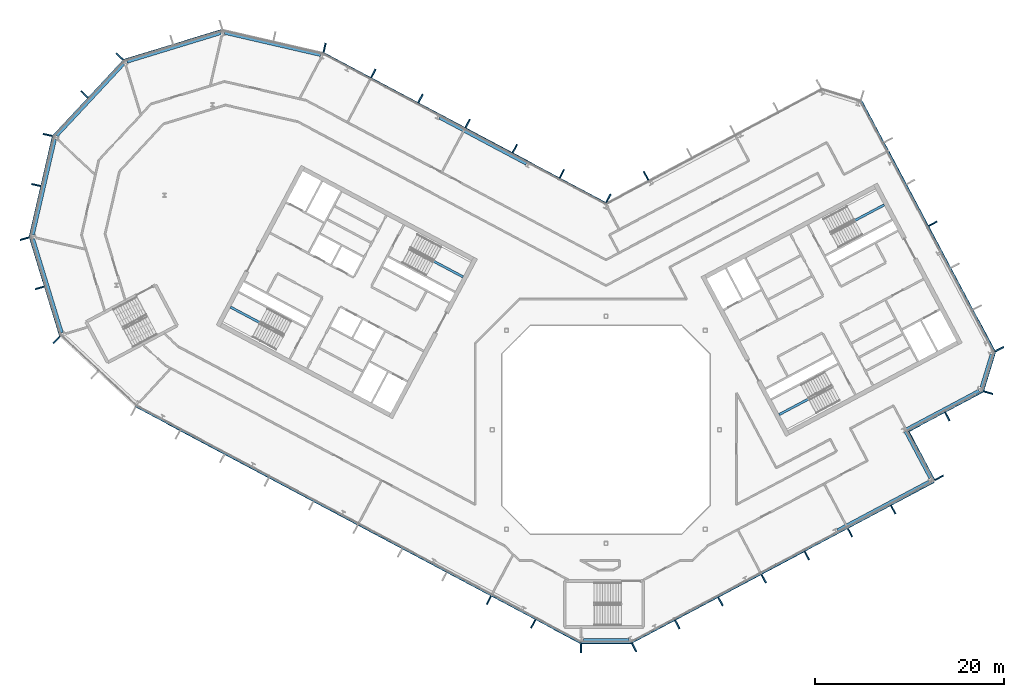
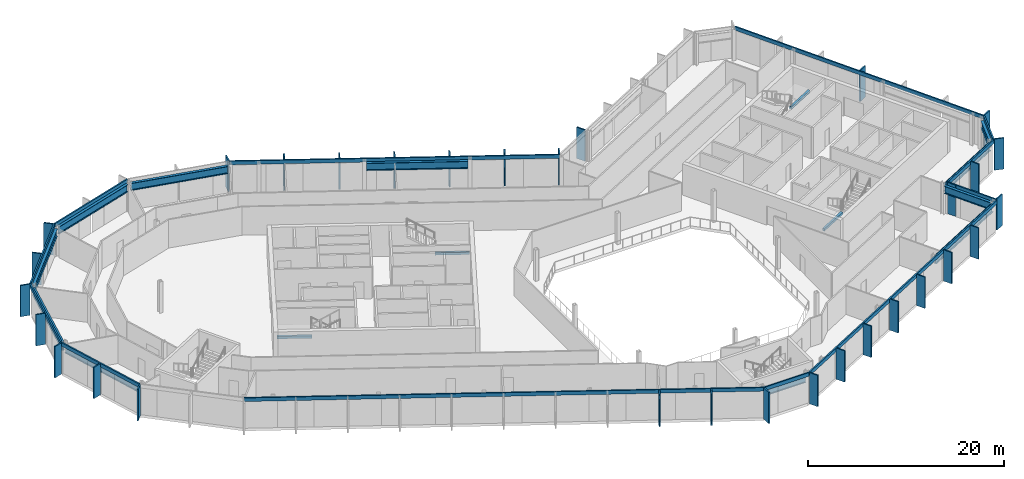
# One storey, part 9 of 26: 43 members, 15 beams, 15 elements without a shape of their own.
"""IFC4 building model written with IfcOpenShell, lengths in metres."""

from ifc_helpers import new_model, si_unit, direction, frame, origin, origin_2d, place, context, subcontext, project, spatial, rectangle, i_section, extrude, material, layer, layer_set, material_profile, profile_set, type_object, element, aggregate, save


model = new_model("IFC4")

# Units and contexts
model_context = context("Model", 3, precision=1e-05, world=origin(), true_north=direction((0.0, 1.0)))
body_context = subcontext(model_context, "Body", "Model", "MODEL_VIEW")
ifc_project = project(units=[si_unit("LENGTHUNIT", "METRE"), si_unit("AREAUNIT", "SQUARE_METRE"), si_unit("VOLUMEUNIT", "CUBIC_METRE"), si_unit("PLANEANGLEUNIT", "RADIAN"), si_unit("MASSUNIT", "GRAM", prefix="KILO")], contexts=[model_context])

# Site, building, storey
site_placement = place(None, origin())
site = spatial("IfcSite", under=ifc_project, at=site_placement, CompositionType="ELEMENT")
building_placement = place(site_placement, origin())
building = spatial("IfcBuilding", under=site, at=building_placement, Name="Cormorant Relay Tower", CompositionType="ELEMENT")
storey_placement = place(building_placement, frame((0.0, 0.0, 312.60009765625)))
storey = spatial("IfcBuildingStorey", under=building, at=storey_placement, Name="L71", CompositionType="ELEMENT", Elevation=312.60009765625)

# Curtain wall, member
ifc_material_1 = material(Name="Aluminium 6063-T6 anodised bronze", Category="aluminium")
ifc_layer = layer(ifc_material_1, 0.199951171875)
ifc_layer_set = layer_set([ifc_layer], Name="CW1 unitised bronze curtain wall with vertical fins")
curtain_wall_type = type_object("IfcCurtainWallType", Name="CW1 unitised bronze curtain wall with vertical fins", PredefinedType="NOTDEFINED", material=ifc_layer_set)
curtain_wall_1_placement = place(storey_placement, origin())
curtain_wall_1 = element("IfcCurtainWall", 1, at=curtain_wall_1_placement, inside=storey, type_object=curtain_wall_type, Name="CW1 curtain wall 1", PredefinedType="NOTDEFINED")
ifc_material_2 = material(Name="Aluminium 6063-T6 anodised bronze", Category="aluminium")
ifc_material_profile_1 = material_profile(ifc_material_2, rectangle(XDim=0.14990234375, YDim=1.0, at=origin_2d()), Name="AL 150x1000")
ifc_profile_set_1 = profile_set([ifc_material_profile_1], Name="Aluminium 6063-T6 anodised bronze")
member_type_1 = type_object("IfcMemberType", Name="CW1 bronze fin mullion 150 x 1000", PredefinedType="MULLION", material=ifc_profile_set_1)
member_1_placement = place(storey_placement, frame((-2.648681640625, -23.07568359375, 0.0), z_axis=(0.0, 0.0, 1.0), x_axis=(1.0, 0.0, 0.0)))
member_1 = element("IfcMember", 2, at=member_1_placement, type_object=member_type_1, Name="CW1 fin 1.1", PredefinedType="MULLION", context=body_context, shape_type="SweptSolid", body=[
    extrude(rectangle(XDim=0.14990234375, YDim=1.0, at=origin_2d()), origin(), (0.0, 0.0, 1.0), 3.89990234375),
])

# Curtain wall, members
curtain_wall_2_placement = place(storey_placement, origin())
curtain_wall_2 = element("IfcCurtainWall", 3, at=curtain_wall_2_placement, inside=storey, type_object=curtain_wall_type, Name="CW1 curtain wall 2", PredefinedType="NOTDEFINED")
member_2_placement = place(storey_placement, frame((2.9775390625, -22.99365234375, 0.0), z_axis=(0.0, 0.0, 1.0), x_axis=(0.882947592859, 0.469471562786, 0.0)))
member_2 = element("IfcMember", 4, at=member_2_placement, type_object=member_type_1, Name="CW1 fin 2.1", PredefinedType="MULLION", context=body_context, shape_type="SweptSolid", body=[
    extrude(rectangle(XDim=0.14990234375, YDim=1.0, at=origin_2d()), origin(), (0.0, 0.0, 1.0), 3.89990234375),
])
member_3_placement = place(storey_placement, frame((7.539306640625, -20.568115234375, 0.0), z_axis=(0.0, 0.0, 1.0), x_axis=(0.882947592859, 0.469471562786, 0.0)))
member_3 = element("IfcMember", 5, at=member_3_placement, type_object=member_type_1, Name="CW1 fin 2.2", PredefinedType="MULLION", context=body_context, shape_type="SweptSolid", body=[
    extrude(rectangle(XDim=0.14990234375, YDim=1.0, at=origin_2d()), origin(), (0.0, 0.0, 1.0), 3.89990234375),
])
member_4_placement = place(storey_placement, frame((12.10107421875, -18.142578125, 0.0), z_axis=(0.0, 0.0, 1.0), x_axis=(0.882947592859, 0.469471562786, 0.0)))
member_4 = element("IfcMember", 6, at=member_4_placement, type_object=member_type_1, Name="CW1 fin 2.3", PredefinedType="MULLION", context=body_context, shape_type="SweptSolid", body=[
    extrude(rectangle(XDim=0.14990234375, YDim=1.0, at=origin_2d()), origin(), (0.0, 0.0, 1.0), 3.89990234375),
])
member_5_placement = place(storey_placement, frame((16.662841796875, -15.717041015625, 0.0), z_axis=(0.0, 0.0, 1.0), x_axis=(0.882947592859, 0.469471562786, 0.0)))
member_5 = element("IfcMember", 7, at=member_5_placement, type_object=member_type_1, Name="CW1 fin 2.4", PredefinedType="MULLION", context=body_context, shape_type="SweptSolid", body=[
    extrude(rectangle(XDim=0.14990234375, YDim=1.0, at=origin_2d()), origin(), (0.0, 0.0, 1.0), 3.89990234375),
])
member_6_placement = place(storey_placement, frame((21.224609375, -13.29150390625, 0.0), z_axis=(0.0, 0.0, 1.0), x_axis=(0.882947592859, 0.469471562786, 0.0)))
member_6 = element("IfcMember", 8, at=member_6_placement, type_object=member_type_1, Name="CW1 fin 2.5", PredefinedType="MULLION", context=body_context, shape_type="SweptSolid", body=[
    extrude(rectangle(XDim=0.14990234375, YDim=1.0, at=origin_2d()), origin(), (0.0, 0.0, 1.0), 3.89990234375),
])
member_7_placement = place(storey_placement, frame((25.78662109375, -10.865966796875, 0.0), z_axis=(0.0, 0.0, 1.0), x_axis=(0.882947592859, 0.469471562786, 0.0)))
member_7 = element("IfcMember", 9, at=member_7_placement, type_object=member_type_1, Name="CW1 fin 2.6", PredefinedType="MULLION", context=body_context, shape_type="SweptSolid", body=[
    extrude(rectangle(XDim=0.14990234375, YDim=1.0, at=origin_2d()), origin(), (0.0, 0.0, 1.0), 3.89990234375),
])
member_8_placement = place(storey_placement, frame((30.348388671875, -8.440185546875, 0.0), z_axis=(0.0, 0.0, 1.0), x_axis=(0.882947592859, 0.469471562786, 0.0)))
member_8 = element("IfcMember", 10, at=member_8_placement, type_object=member_type_1, Name="CW1 fin 2.7", PredefinedType="MULLION", context=body_context, shape_type="SweptSolid", body=[
    extrude(rectangle(XDim=0.14990234375, YDim=1.0, at=origin_2d()), origin(), (0.0, 0.0, 1.0), 3.89990234375),
])

# Curtain wall, member
curtain_wall_3_placement = place(storey_placement, origin())
curtain_wall_3 = element("IfcCurtainWall", 11, at=curtain_wall_3_placement, inside=storey, type_object=curtain_wall_type, Name="CW1 curtain wall 3", PredefinedType="NOTDEFINED")
member_9_placement = place(storey_placement, frame((35.199462890625, -5.068115234375, 0.0), z_axis=(0.0, 0.0, 1.0), x_axis=(-0.469471562786, 0.882947592859, 0.0)))
member_9 = element("IfcMember", 12, at=member_9_placement, type_object=member_type_1, Name="CW1 fin 3.1", PredefinedType="MULLION", context=body_context, shape_type="SweptSolid", body=[
    extrude(rectangle(XDim=0.14990234375, YDim=1.0, at=origin_2d()), origin(), (0.0, 0.0, 1.0), 3.89990234375),
])

# Curtain wall, members
curtain_wall_4_placement = place(storey_placement, origin())
curtain_wall_4 = element("IfcCurtainWall", 13, at=curtain_wall_4_placement, inside=storey, type_object=curtain_wall_type, Name="CW1 curtain wall 4", PredefinedType="NOTDEFINED")
member_10_placement = place(storey_placement, frame((32.159423828125, -0.681884765625, 0.0), z_axis=(0.0, 0.0, 1.0), x_axis=(0.882947592859, 0.469471562786, 0.0)))
member_10 = element("IfcMember", 14, at=member_10_placement, type_object=member_type_1, Name="CW1 fin 4.1", PredefinedType="MULLION", context=body_context, shape_type="SweptSolid", body=[
    extrude(rectangle(XDim=0.14990234375, YDim=1.0, at=origin_2d()), origin(), (0.0, 0.0, 1.0), 3.89990234375),
])
member_11_placement = place(storey_placement, frame((36.06640625, 1.3955078125, 0.0), z_axis=(0.0, 0.0, 1.0), x_axis=(0.882947592859, 0.469471562786, 0.0)))
member_11 = element("IfcMember", 15, at=member_11_placement, type_object=member_type_1, Name="CW1 fin 4.2", PredefinedType="MULLION", context=body_context, shape_type="SweptSolid", body=[
    extrude(rectangle(XDim=0.14990234375, YDim=1.0, at=origin_2d()), origin(), (0.0, 0.0, 1.0), 3.89990234375),
])

# Curtain wall, member
curtain_wall_5_placement = place(storey_placement, origin())
curtain_wall_5 = element("IfcCurtainWall", 16, at=curtain_wall_5_placement, inside=storey, type_object=curtain_wall_type, Name="CW1 curtain wall 5", PredefinedType="NOTDEFINED")
member_12_placement = place(storey_placement, frame((40.380615234375, 3.921630859375, 0.0), z_axis=(0.0, 0.0, 1.0), x_axis=(0.292371704723, 0.956304755963, 0.0)))
member_12 = element("IfcMember", 17, at=member_12_placement, type_object=member_type_1, Name="CW1 fin 5.1", PredefinedType="MULLION", context=body_context, shape_type="SweptSolid", body=[
    extrude(rectangle(XDim=0.14990234375, YDim=1.0, at=origin_2d()), origin(), (0.0, 0.0, 1.0), 3.89990234375),
])

# Curtain wall, members
curtain_wall_6_placement = place(storey_placement, origin())
curtain_wall_6 = element("IfcCurtainWall", 18, at=curtain_wall_6_placement, inside=storey, type_object=curtain_wall_type, Name="CW1 curtain wall 6", PredefinedType="NOTDEFINED")
member_13_placement = place(storey_placement, frame((41.569580078125, 8.51220703125, 0.0), z_axis=(0.0, 0.0, 1.0), x_axis=(-0.469471562786, 0.882947592859, 0.0)))
member_13 = element("IfcMember", 19, at=member_13_placement, type_object=member_type_1, Name="CW1 fin 6.1", PredefinedType="MULLION", context=body_context, shape_type="SweptSolid", body=[
    extrude(rectangle(XDim=0.14990234375, YDim=1.0, at=origin_2d()), origin(), (0.0, 0.0, 1.0), 3.89990234375),
])
member_14_placement = place(storey_placement, frame((34.527587890625, 21.75634765625, 0.0), z_axis=(0.0, 0.0, 1.0), x_axis=(-0.469471562786, 0.882947592859, 0.0)))
member_14 = element("IfcMember", 20, at=member_14_placement, type_object=member_type_1, Name="CW1 fin 6.4", PredefinedType="MULLION", context=body_context, shape_type="SweptSolid", body=[
    extrude(rectangle(XDim=0.14990234375, YDim=1.0, at=origin_2d()), origin(), (0.0, 0.0, 1.0), 3.89990234375),
])

# Curtain wall, member
curtain_wall_7_placement = place(storey_placement, origin())
curtain_wall_7 = element("IfcCurtainWall", 21, at=curtain_wall_7_placement, inside=storey, type_object=curtain_wall_type, Name="CW1 curtain wall 8", PredefinedType="NOTDEFINED")
member_15_placement = place(storey_placement, frame((4.2333984375, 26.82763671875, 0.0), z_axis=(0.0, 0.0, 1.0), x_axis=(-0.882947592859, -0.469471562786, 0.0)))
member_15 = element("IfcMember", 22, at=member_15_placement, type_object=member_type_1, Name="CW1 fin 8.5", PredefinedType="MULLION", context=body_context, shape_type="SweptSolid", body=[
    extrude(rectangle(XDim=0.14990234375, YDim=1.0, at=origin_2d()), origin(), (0.0, 0.0, 1.0), 3.89990234375),
])
aggregate(curtain_wall_7, [member_15])

# Curtain wall, members
curtain_wall_8_placement = place(storey_placement, origin())
curtain_wall_8 = element("IfcCurtainWall", 23, at=curtain_wall_8_placement, inside=storey, type_object=curtain_wall_type, Name="CW1 curtain wall 9", PredefinedType="NOTDEFINED")
member_16_placement = place(storey_placement, frame((0.262451171875, 24.437255859375, 0.0), z_axis=(0.0, 0.0, 1.0), x_axis=(-0.882947592859, 0.469471562786, 0.0)))
member_16 = element("IfcMember", 24, at=member_16_placement, type_object=member_type_1, Name="CW1 fin 9.1", PredefinedType="MULLION", context=body_context, shape_type="SweptSolid", body=[
    extrude(rectangle(XDim=0.14990234375, YDim=1.0, at=origin_2d()), origin(), (0.0, 0.0, 1.0), 3.89990234375),
])
member_17_placement = place(storey_placement, frame((-4.650390625, 27.04931640625, 0.0), z_axis=(0.0, 0.0, 1.0), x_axis=(-0.882947592859, 0.469471562786, 0.0)))
member_17 = element("IfcMember", 25, at=member_17_placement, type_object=member_type_1, Name="CW1 fin 9.2", PredefinedType="MULLION", context=body_context, shape_type="SweptSolid", body=[
    extrude(rectangle(XDim=0.14990234375, YDim=1.0, at=origin_2d()), origin(), (0.0, 0.0, 1.0), 3.89990234375),
])
member_18_placement = place(storey_placement, frame((-9.62939453125, 29.69677734375, 0.0), z_axis=(0.0, 0.0, 1.0), x_axis=(-0.882947592859, 0.469471562786, 0.0)))
member_18 = element("IfcMember", 26, at=member_18_placement, type_object=member_type_1, Name="CW1 fin 9.3", PredefinedType="MULLION", context=body_context, shape_type="SweptSolid", body=[
    extrude(rectangle(XDim=0.14990234375, YDim=1.0, at=origin_2d()), origin(), (0.0, 0.0, 1.0), 3.89990234375),
])
member_19_placement = place(storey_placement, frame((-14.608154296875, 32.343994140625, 0.0), z_axis=(0.0, 0.0, 1.0), x_axis=(-0.882947592859, 0.469471562786, 0.0)))
member_19 = element("IfcMember", 27, at=member_19_placement, type_object=member_type_1, Name="CW1 fin 9.4", PredefinedType="MULLION", context=body_context, shape_type="SweptSolid", body=[
    extrude(rectangle(XDim=0.14990234375, YDim=1.0, at=origin_2d()), origin(), (0.0, 0.0, 1.0), 3.89990234375),
])
member_20_placement = place(storey_placement, frame((-19.587158203125, 34.991455078125, 0.0), z_axis=(0.0, 0.0, 1.0), x_axis=(-0.882947592859, 0.469471562786, 0.0)))
member_20 = element("IfcMember", 28, at=member_20_placement, type_object=member_type_1, Name="CW1 fin 9.5", PredefinedType="MULLION", context=body_context, shape_type="SweptSolid", body=[
    extrude(rectangle(XDim=0.14990234375, YDim=1.0, at=origin_2d()), origin(), (0.0, 0.0, 1.0), 3.89990234375),
])
member_21_placement = place(storey_placement, frame((-24.566162109375, 37.638916015625, 0.0), z_axis=(0.0, 0.0, 1.0), x_axis=(-0.882947592859, 0.469471562786, 0.0)))
member_21 = element("IfcMember", 29, at=member_21_placement, type_object=member_type_1, Name="CW1 fin 9.6", PredefinedType="MULLION", context=body_context, shape_type="SweptSolid", body=[
    extrude(rectangle(XDim=0.14990234375, YDim=1.0, at=origin_2d()), origin(), (0.0, 0.0, 1.0), 3.89990234375),
])

# Curtain wall, member
curtain_wall_9_placement = place(storey_placement, origin())
curtain_wall_9 = element("IfcCurtainWall", 30, at=curtain_wall_9_placement, inside=storey, type_object=curtain_wall_type, Name="CW1 curtain wall 10", PredefinedType="NOTDEFINED")
member_22_placement = place(storey_placement, frame((-29.71630859375, 40.35009765625, 0.0), z_axis=(0.0, 0.0, 1.0), x_axis=(-0.974370064785, 0.224951054344, 0.0)))
member_22 = element("IfcMember", 31, at=member_22_placement, type_object=member_type_1, Name="CW1 fin 10.1", PredefinedType="MULLION", context=body_context, shape_type="SweptSolid", body=[
    extrude(rectangle(XDim=0.14990234375, YDim=1.0, at=origin_2d()), origin(), (0.0, 0.0, 1.0), 3.89990234375),
])
aggregate(curtain_wall_9, [member_22])

# Curtain wall, members
curtain_wall_10_placement = place(storey_placement, origin())
curtain_wall_10 = element("IfcCurtainWall", 32, at=curtain_wall_10_placement, inside=storey, type_object=curtain_wall_type, Name="CW1 curtain wall 12", PredefinedType="NOTDEFINED")
member_23_placement = place(storey_placement, frame((-51.372802734375, 39.41259765625, 0.0), z_axis=(0.0, 0.0, 1.0), x_axis=(-0.681998360062, -0.731353701619, 0.0)))
member_23 = element("IfcMember", 33, at=member_23_placement, type_object=member_type_1, Name="CW1 fin 12.1", PredefinedType="MULLION", context=body_context, shape_type="SweptSolid", body=[
    extrude(rectangle(XDim=0.14990234375, YDim=1.0, at=origin_2d()), origin(), (0.0, 0.0, 1.0), 3.89990234375),
])
member_24_placement = place(storey_placement, frame((-55.07958984375, 35.4375, 0.0), z_axis=(0.0, 0.0, 1.0), x_axis=(-0.681998360062, -0.731353701619, 0.0)))
member_24 = element("IfcMember", 34, at=member_24_placement, type_object=member_type_1, Name="CW1 fin 12.2", PredefinedType="MULLION", context=body_context, shape_type="SweptSolid", body=[
    extrude(rectangle(XDim=0.14990234375, YDim=1.0, at=origin_2d()), origin(), (0.0, 0.0, 1.0), 3.89990234375),
])

curtain_wall_11_placement = place(storey_placement, origin())
curtain_wall_11 = element("IfcCurtainWall", 35, at=curtain_wall_11_placement, inside=storey, type_object=curtain_wall_type, Name="CW1 curtain wall 13", PredefinedType="NOTDEFINED")
member_25_placement = place(storey_placement, frame((-58.95654296875, 31.142578125, 0.0), z_axis=(0.0, 0.0, 1.0), x_axis=(-0.224951054344, -0.974370064785, 0.0)))
member_25 = element("IfcMember", 36, at=member_25_placement, type_object=member_type_1, Name="CW1 fin 13.1", PredefinedType="MULLION", context=body_context, shape_type="SweptSolid", body=[
    extrude(rectangle(XDim=0.14990234375, YDim=1.0, at=origin_2d()), origin(), (0.0, 0.0, 1.0), 3.89990234375),
])
member_26_placement = place(storey_placement, frame((-60.17919921875, 25.8466796875, 0.0), z_axis=(0.0, 0.0, 1.0), x_axis=(-0.224951054344, -0.974370064785, 0.0)))
member_26 = element("IfcMember", 37, at=member_26_placement, type_object=member_type_1, Name="CW1 fin 13.2", PredefinedType="MULLION", context=body_context, shape_type="SweptSolid", body=[
    extrude(rectangle(XDim=0.14990234375, YDim=1.0, at=origin_2d()), origin(), (0.0, 0.0, 1.0), 3.89990234375),
])

curtain_wall_12_placement = place(storey_placement, origin())
curtain_wall_12 = element("IfcCurtainWall", 38, at=curtain_wall_12_placement, inside=storey, type_object=curtain_wall_type, Name="CW1 curtain wall 14", PredefinedType="NOTDEFINED")
member_27_placement = place(storey_placement, frame((-61.389404296875, 20.188720703125, 0.0), z_axis=(0.0, 0.0, 1.0), x_axis=(0.292371704723, -0.956304755963, 0.0)))
member_27 = element("IfcMember", 39, at=member_27_placement, type_object=member_type_1, Name="CW1 fin 14.1", PredefinedType="MULLION", context=body_context, shape_type="SweptSolid", body=[
    extrude(rectangle(XDim=0.14990234375, YDim=1.0, at=origin_2d()), origin(), (0.0, 0.0, 1.0), 3.89990234375),
])
member_28_placement = place(storey_placement, frame((-59.80029296875, 14.990966796875, 0.0), z_axis=(0.0, 0.0, 1.0), x_axis=(0.292371704723, -0.956304755963, 0.0)))
member_28 = element("IfcMember", 40, at=member_28_placement, type_object=member_type_1, Name="CW1 fin 14.2", PredefinedType="MULLION", context=body_context, shape_type="SweptSolid", body=[
    extrude(rectangle(XDim=0.14990234375, YDim=1.0, at=origin_2d()), origin(), (0.0, 0.0, 1.0), 3.89990234375),
])

# Curtain wall, member
curtain_wall_13_placement = place(storey_placement, origin())
curtain_wall_13 = element("IfcCurtainWall", 41, at=curtain_wall_13_placement, inside=storey, type_object=curtain_wall_type, Name="CW1 curtain wall 15", PredefinedType="NOTDEFINED")
member_29_placement = place(storey_placement, frame((-58.01904296875, 9.486083984375, 0.0), z_axis=(0.0, 0.0, 1.0), x_axis=(0.731353701619, -0.681998360062, 0.0)))
member_29 = element("IfcMember", 42, at=member_29_placement, type_object=member_type_1, Name="CW1 fin 15.1", PredefinedType="MULLION", context=body_context, shape_type="SweptSolid", body=[
    extrude(rectangle(XDim=0.14990234375, YDim=1.0, at=origin_2d()), origin(), (0.0, 0.0, 1.0), 3.89990234375),
])
aggregate(curtain_wall_13, [member_29])

# Curtain wall, members
curtain_wall_14_placement = place(storey_placement, origin())
curtain_wall_14 = element("IfcCurtainWall", 43, at=curtain_wall_14_placement, inside=storey, type_object=curtain_wall_type, Name="CW1 curtain wall 16", PredefinedType="NOTDEFINED")
member_30_placement = place(storey_placement, frame((-12.365966796875, -18.001708984375, 0.0), z_axis=(0.0, 0.0, 1.0), x_axis=(0.882947592859, -0.469471562786, 0.0)))
member_30 = element("IfcMember", 44, at=member_30_placement, type_object=member_type_1, Name="CW1 fin 16.9", PredefinedType="MULLION", context=body_context, shape_type="SweptSolid", body=[
    extrude(rectangle(XDim=0.14990234375, YDim=1.0, at=origin_2d()), origin(), (0.0, 0.0, 1.0), 3.89990234375),
])
member_31_placement = place(storey_placement, frame((-7.671630859375, -20.49755859375, 0.0), z_axis=(0.0, 0.0, 1.0), x_axis=(0.882947592859, -0.469471562786, 0.0)))
member_31 = element("IfcMember", 45, at=member_31_placement, type_object=member_type_1, Name="CW1 fin 16.10", PredefinedType="MULLION", context=body_context, shape_type="SweptSolid", body=[
    extrude(rectangle(XDim=0.14990234375, YDim=1.0, at=origin_2d()), origin(), (0.0, 0.0, 1.0), 3.89990234375),
])

# Member
ifc_material_3 = material(Name="Aluminium 6063-T6 anodised bronze", Category="aluminium")
ifc_material_profile_2 = material_profile(ifc_material_3, rectangle(XDim=0.159912109375, YDim=0.449951171875, at=origin_2d()), Name="AL 160x450")
ifc_profile_set_2 = profile_set([ifc_material_profile_2], Name="Aluminium 6063-T6 anodised bronze")
member_type_2 = type_object("IfcMemberType", Name="CW1 bronze transom 160 x 450", PredefinedType="USERDEFINED", material=ifc_profile_set_2)
member_32_placement = place(storey_placement, frame((-2.648681640625, -22.49560546875, 3.6748046875), z_axis=(1.0, 0.0, 0.0), x_axis=(0.0, 1.0, 0.0)))
member_32 = element("IfcMember", 46, at=member_32_placement, type_object=member_type_2, Name="CW1 transom 1", ObjectType="TRANSOM", PredefinedType="USERDEFINED", context=body_context, shape_type="SweptSolid", body=[
    extrude(rectangle(XDim=0.159912109375, YDim=0.449951171875, at=origin_2d()), origin(), (0.0, 0.0, 1.0), 5.29736328125),
])

aggregate(curtain_wall_1, [member_1, member_32])

member_33_placement = place(storey_placement, frame((2.705078125, -22.4814453125, 3.6748046875), z_axis=(0.882948899141, 0.469469106018, 0.0), x_axis=(-0.469469106018, 0.882948899141, 0.0)))
member_33 = element("IfcMember", 47, at=member_33_placement, type_object=member_type_2, Name="CW1 transom 2", ObjectType="TRANSOM", PredefinedType="USERDEFINED", context=body_context, shape_type="SweptSolid", body=[
    extrude(rectangle(XDim=0.159912109375, YDim=0.449951171875, at=origin_2d()), origin(), (0.0, 0.0, 1.0), 36.165771484375),
])

aggregate(curtain_wall_2, [member_2, member_3, member_4, member_5, member_6, member_7, member_8, member_33])

member_34_placement = place(storey_placement, frame((34.6875, -5.34033203125, 3.6748046875), z_axis=(-0.469485426614, 0.882940221191, 0.0), x_axis=(-0.882940221191, -0.469485426614, 0.0)))
member_34 = element("IfcMember", 48, at=member_34_placement, type_object=member_type_2, Name="CW1 transom 3", ObjectType="TRANSOM", PredefinedType="USERDEFINED", context=body_context, shape_type="SweptSolid", body=[
    extrude(rectangle(XDim=0.159912109375, YDim=0.449951171875, at=origin_2d()), origin(), (0.0, 0.0, 1.0), 6.0),
])

aggregate(curtain_wall_3, [member_9, member_34])

member_35_placement = place(storey_placement, frame((31.82080078125, -0.205078125, 3.6748046875), z_axis=(0.882949189538, 0.469468559857, 0.0), x_axis=(-0.469468559857, 0.882949189538, 0.0)))
member_35 = element("IfcMember", 49, at=member_35_placement, type_object=member_type_2, Name="CW1 transom 4", ObjectType="TRANSOM", PredefinedType="USERDEFINED", context=body_context, shape_type="SweptSolid", body=[
    extrude(rectangle(XDim=0.159912109375, YDim=0.449951171875, at=origin_2d()), origin(), (0.0, 0.0, 1.0), 9.000244140625),
])

aggregate(curtain_wall_4, [member_10, member_11, member_35])

member_36_placement = place(storey_placement, frame((39.825927734375, 4.091064453125, 3.6748046875), z_axis=(0.292374957137, 0.956303761594, 0.0), x_axis=(-0.956303761594, 0.292374957137, 0.0)))
member_36 = element("IfcMember", 50, at=member_36_placement, type_object=member_type_2, Name="CW1 transom 5", ObjectType="TRANSOM", PredefinedType="USERDEFINED", context=body_context, shape_type="SweptSolid", body=[
    extrude(rectangle(XDim=0.159912109375, YDim=0.449951171875, at=origin_2d()), origin(), (0.0, 0.0, 1.0), 4.24267578125),
])

aggregate(curtain_wall_5, [member_12, member_36])

member_37_placement = place(storey_placement, frame((41.0576171875, 8.23974609375, 3.6748046875), z_axis=(-0.469472335483, 0.882947182008, 0.0), x_axis=(-0.882947182008, -0.469472335483, 0.0)))
member_37 = element("IfcMember", 51, at=member_37_placement, type_object=member_type_2, Name="CW1 transom 6", ObjectType="TRANSOM", PredefinedType="USERDEFINED", context=body_context, shape_type="SweptSolid", body=[
    extrude(rectangle(XDim=0.159912109375, YDim=0.449951171875, at=origin_2d()), origin(), (0.0, 0.0, 1.0), 30.000244140625),
])

aggregate(curtain_wall_6, [member_13, member_14, member_37])

member_38_placement = place(storey_placement, frame((0.056396484375, 23.889892578125, 3.6748046875), z_axis=(-0.882946280328, 0.46947403129, 0.0), x_axis=(-0.46947403129, -0.882946280328, 0.0)))
member_38 = element("IfcMember", 52, at=member_38_placement, type_object=member_type_2, Name="CW1 transom 9", ObjectType="TRANSOM", PredefinedType="USERDEFINED", context=body_context, shape_type="SweptSolid", body=[
    extrude(rectangle(XDim=0.159912109375, YDim=0.449951171875, at=origin_2d()), origin(), (0.0, 0.0, 1.0), 33.834228515625),
])

aggregate(curtain_wall_8, [member_16, member_17, member_18, member_19, member_20, member_21, member_38])

# Curtain wall, member
curtain_wall_15_placement = place(storey_placement, origin())
curtain_wall_15 = element("IfcCurtainWall", 53, at=curtain_wall_15_placement, inside=storey, type_object=curtain_wall_type, Name="CW1 curtain wall 11", PredefinedType="NOTDEFINED")
member_39_placement = place(storey_placement, frame((-40.50048828125, 42.228271484375, 3.6748046875), z_axis=(-0.956304833932, -0.292371449698, 0.0), x_axis=(0.292371449698, -0.956304833932, 0.0)))
member_39 = element("IfcMember", 54, at=member_39_placement, type_object=member_type_2, Name="CW1 transom 11", ObjectType="TRANSOM", PredefinedType="USERDEFINED", context=body_context, shape_type="SweptSolid", body=[
    extrude(rectangle(XDim=0.159912109375, YDim=0.449951171875, at=origin_2d()), origin(), (0.0, 0.0, 1.0), 10.87060546875),
])
aggregate(curtain_wall_15, [member_39])

# Member
member_40_placement = place(storey_placement, frame((-50.94873046875, 39.01708984375, 3.6748046875), z_axis=(-0.681993299437, -0.731358420696, 0.0), x_axis=(0.731358420696, -0.681993299437, 0.0)))
member_40 = element("IfcMember", 55, at=member_40_placement, type_object=member_type_2, Name="CW1 transom 12", ObjectType="TRANSOM", PredefinedType="USERDEFINED", context=body_context, shape_type="SweptSolid", body=[
    extrude(rectangle(XDim=0.159912109375, YDim=0.449951171875, at=origin_2d()), origin(), (0.0, 0.0, 1.0), 10.870361328125),
])

aggregate(curtain_wall_10, [member_23, member_24, member_40])

member_41_placement = place(storey_placement, frame((-58.3916015625, 31.01220703125, 3.6748046875), z_axis=(-0.22495136131, -0.974369993916, 0.0), x_axis=(0.974369993916, -0.22495136131, 0.0)))
member_41 = element("IfcMember", 56, at=member_41_placement, type_object=member_type_2, Name="CW1 transom 13", ObjectType="TRANSOM", PredefinedType="USERDEFINED", context=body_context, shape_type="SweptSolid", body=[
    extrude(rectangle(XDim=0.159912109375, YDim=0.449951171875, at=origin_2d()), origin(), (0.0, 0.0, 1.0), 10.870361328125),
])

aggregate(curtain_wall_11, [member_25, member_26, member_41])

member_42_placement = place(storey_placement, frame((-60.834716796875, 20.358154296875, 3.6748046875), z_axis=(0.292377729282, -0.95630291405, 0.0), x_axis=(0.95630291405, 0.292377729282, 0.0)))
member_42 = element("IfcMember", 57, at=member_42_placement, type_object=member_type_2, Name="CW1 transom 14", ObjectType="TRANSOM", PredefinedType="USERDEFINED", context=body_context, shape_type="SweptSolid", body=[
    extrude(rectangle(XDim=0.159912109375, YDim=0.449951171875, at=origin_2d()), origin(), (0.0, 0.0, 1.0), 10.870361328125),
])

aggregate(curtain_wall_12, [member_27, member_28, member_42])

member_43_placement = place(storey_placement, frame((-49.64794921875, 2.478515625, 3.6748046875), z_axis=(0.882947642542, -0.469471469346, 0.0), x_axis=(0.469471469346, 0.882947642542, 0.0)))
member_43 = element("IfcMember", 58, at=member_43_placement, type_object=member_type_2, Name="CW1 transom 16", ObjectType="TRANSOM", PredefinedType="USERDEFINED", context=body_context, shape_type="SweptSolid", body=[
    extrude(rectangle(XDim=0.159912109375, YDim=0.449951171875, at=origin_2d()), origin(), (0.0, 0.0, 1.0), 53.166015625),
])

aggregate(curtain_wall_14, [member_30, member_31, member_43])

# Beams
ifc_material_4 = material(Name="Steel ASTM A992 (Fy 345 MPa)", Category="steel")
ifc_material_profile_3 = material_profile(ifc_material_4, i_section(OverallWidth=0.307373046875, OverallDepth=0.927001953125, WebThickness=0.019287109375, FlangeThickness=0.031982421875, FilletRadius=0.01904296875, at=origin_2d()), Name="W920x289")
ifc_profile_set_3 = profile_set([ifc_material_profile_3], Name="Steel ASTM A992 (Fy 345 MPa)")
beam_type_1 = type_object("IfcBeamType", Name="Spandrel W920x289", PredefinedType="SPANDREL", material=ifc_profile_set_3)
beam_1_placement = place(storey_placement, frame((-2.377197265625, -22.221923828125, 3.076416015625), z_axis=(1.0, 0.0, 0.0), x_axis=(0.0, 1.0, 0.0)))
element("IfcBeam", 59, at=beam_1_placement, inside=storey, type_object=beam_type_1, Name="Spandrel beam L71-001", PredefinedType="SPANDREL", context=body_context, shape_type="SweptSolid", body=[
    extrude(i_section(OverallWidth=0.307373046875, OverallDepth=0.927001953125, WebThickness=0.019287109375, FlangeThickness=0.031982421875, FilletRadius=0.01904296875, at=origin_2d()), origin(), (0.0, 0.0, 1.0), 4.79541015625),
])
beam_2_placement = place(storey_placement, frame((24.44287109375, -10.61328125, 3.076416015625), z_axis=(0.882957797597, 0.469452369961, 0.0), x_axis=(-0.469452369961, 0.882957797597, 0.0)))
element("IfcBeam", 60, at=beam_2_placement, inside=storey, type_object=beam_type_1, Name="Spandrel beam L71-002", PredefinedType="SPANDREL", context=body_context, shape_type="SweptSolid", body=[
    extrude(i_section(OverallWidth=0.307373046875, OverallDepth=0.927001953125, WebThickness=0.019287109375, FlangeThickness=0.031982421875, FilletRadius=0.01904296875, at=origin_2d()), origin(), (0.0, 0.0, 1.0), 10.992431640625),
])
beam_3_placement = place(storey_placement, frame((34.254638671875, -5.109619140625, 3.076416015625), z_axis=(-0.469457325339, 0.882955162897, 0.0), x_axis=(-0.882955162897, -0.469457325339, 0.0)))
element("IfcBeam", 61, at=beam_3_placement, inside=storey, type_object=beam_type_1, Name="Spandrel beam L71-003", PredefinedType="SPANDREL", context=body_context, shape_type="SweptSolid", body=[
    extrude(i_section(OverallWidth=0.307373046875, OverallDepth=0.927001953125, WebThickness=0.019287109375, FlangeThickness=0.031982421875, FilletRadius=0.01904296875, at=origin_2d()), origin(), (0.0, 0.0, 1.0), 5.593017578125),
])
beam_4_placement = place(storey_placement, frame((31.6923828125, 0.03662109375, 3.076416015625), z_axis=(0.882943393008, 0.469479461472, 0.0), x_axis=(-0.469479461472, 0.882943393008, 0.0)))
element("IfcBeam", 62, at=beam_4_placement, inside=storey, type_object=beam_type_1, Name="Spandrel beam L71-004", PredefinedType="SPANDREL", context=body_context, shape_type="SweptSolid", body=[
    extrude(i_section(OverallWidth=0.307373046875, OverallDepth=0.927001953125, WebThickness=0.019287109375, FlangeThickness=0.031982421875, FilletRadius=0.01904296875, at=origin_2d()), origin(), (0.0, 0.0, 1.0), 8.734375),
])
beam_5_placement = place(storey_placement, frame((39.6591796875, 4.4814453125, 3.076416015625), z_axis=(0.292323829151, 0.956319391684, 0.0), x_axis=(-0.956319391684, 0.292323829151, 0.0)))
element("IfcBeam", 63, at=beam_5_placement, inside=storey, type_object=beam_type_1, Name="Spandrel beam L71-005", PredefinedType="SPANDREL", context=body_context, shape_type="SweptSolid", body=[
    extrude(i_section(OverallWidth=0.307373046875, OverallDepth=0.927001953125, WebThickness=0.019287109375, FlangeThickness=0.031982421875, FilletRadius=0.01904296875, at=origin_2d()), origin(), (0.0, 0.0, 1.0), 3.652099609375),
])
beam_6_placement = place(storey_placement, frame((-8.401611328125, 28.0771484375, 3.076416015625), z_axis=(-0.882945471565, 0.469475552338, 0.0), x_axis=(-0.469475552338, -0.882945471565, 0.0)))
element("IfcBeam", 64, at=beam_6_placement, inside=storey, type_object=beam_type_1, Name="Spandrel beam L71-009", PredefinedType="SPANDREL", context=body_context, shape_type="SweptSolid", body=[
    extrude(i_section(OverallWidth=0.307373046875, OverallDepth=0.927001953125, WebThickness=0.019287109375, FlangeThickness=0.031982421875, FilletRadius=0.01904296875, at=origin_2d()), origin(), (0.0, 0.0, 1.0), 10.401123046875),
])
beam_7_placement = place(storey_placement, frame((-30.138427734375, 39.571533203125, 3.076416015625), z_axis=(-0.97437021882, 0.224950387145, 0.0), x_axis=(-0.224950387145, -0.97437021882, 0.0)))
element("IfcBeam", 65, at=beam_7_placement, inside=storey, type_object=beam_type_1, Name="Spandrel beam L71-010", PredefinedType="SPANDREL", context=body_context, shape_type="SweptSolid", body=[
    extrude(i_section(OverallWidth=0.307373046875, OverallDepth=0.927001953125, WebThickness=0.019287109375, FlangeThickness=0.031982421875, FilletRadius=0.01904296875, at=origin_2d()), origin(), (0.0, 0.0, 1.0), 10.3984375),
])
beam_8_placement = place(storey_placement, frame((-40.68505859375, 41.8857421875, 3.076416015625), z_axis=(-0.956304903575, -0.292371221906, 0.0), x_axis=(0.292371221906, -0.956304903575, 0.0)))
element("IfcBeam", 66, at=beam_8_placement, inside=storey, type_object=beam_type_1, Name="Spandrel beam L71-011", PredefinedType="SPANDREL", context=body_context, shape_type="SweptSolid", body=[
    extrude(i_section(OverallWidth=0.307373046875, OverallDepth=0.927001953125, WebThickness=0.019287109375, FlangeThickness=0.031982421875, FilletRadius=0.01904296875, at=origin_2d()), origin(), (0.0, 0.0, 1.0), 10.358642578125),
])
beam_9_placement = place(storey_placement, frame((-50.9375, 38.627685546875, 3.076416015625), z_axis=(-0.682009982741, -0.731342863124, 0.0), x_axis=(0.731342863124, -0.682009982741, 0.0)))
element("IfcBeam", 67, at=beam_9_placement, inside=storey, type_object=beam_type_1, Name="Spandrel beam L71-012", PredefinedType="SPANDREL", context=body_context, shape_type="SweptSolid", body=[
    extrude(i_section(OverallWidth=0.307373046875, OverallDepth=0.927001953125, WebThickness=0.019287109375, FlangeThickness=0.031982421875, FilletRadius=0.01904296875, at=origin_2d()), origin(), (0.0, 0.0, 1.0), 10.35791015625),
])
beam_10_placement = place(storey_placement, frame((-58.18701171875, 30.680908203125, 3.076416015625), z_axis=(-0.224955895786, -0.974368947038, 0.0), x_axis=(0.974368947038, -0.224955895786, 0.0)))
element("IfcBeam", 68, at=beam_10_placement, inside=storey, type_object=beam_type_1, Name="Spandrel beam L71-013", PredefinedType="SPANDREL", context=body_context, shape_type="SweptSolid", body=[
    extrude(i_section(OverallWidth=0.307373046875, OverallDepth=0.927001953125, WebThickness=0.019287109375, FlangeThickness=0.031982421875, FilletRadius=0.01904296875, at=origin_2d()), origin(), (0.0, 0.0, 1.0), 10.359130859375),
])
beam_11_placement = place(storey_placement, frame((-60.49169921875, 20.1728515625, 3.076416015625), z_axis=(0.292367651593, -0.95630599512, 0.0), x_axis=(0.95630599512, 0.292367651593, 0.0)))
element("IfcBeam", 69, at=beam_11_placement, inside=storey, type_object=beam_type_1, Name="Spandrel beam L71-014", PredefinedType="SPANDREL", context=body_context, shape_type="SweptSolid", body=[
    extrude(i_section(OverallWidth=0.307373046875, OverallDepth=0.927001953125, WebThickness=0.019287109375, FlangeThickness=0.031982421875, FilletRadius=0.01904296875, at=origin_2d()), origin(), (0.0, 0.0, 1.0), 10.357177734375),
])
ifc_material_5 = material(Name="Concrete 50 MPa", Category="concrete")
ifc_material_profile_4 = material_profile(ifc_material_5, rectangle(XDim=0.25, YDim=0.300048828125, at=origin_2d()), Name="RC 250x300")
ifc_profile_set_4 = profile_set([ifc_material_profile_4], Name="Concrete 50 MPa")
beam_type_2 = type_object("IfcBeamType", Name="Stair landing ledge beam 250x300", PredefinedType="BEAM", material=ifc_profile_set_4)
beam_12_placement = place(storey_placement, frame((-18.219482421875, 17.813720703125, 1.599853515625), z_axis=(0.882950035608, -0.469466968614, 0.0), x_axis=(0.469466968614, 0.882950035608, 0.0)))
element("IfcBeam", 70, at=beam_12_placement, inside=storey, type_object=beam_type_2, Name="A1 landing ledge beam", PredefinedType="BEAM", context=body_context, shape_type="SweptSolid", body=[
    extrude(rectangle(XDim=0.25, YDim=0.300048828125, at=origin_2d()), origin(), (0.0, 0.0, 1.0), 3.5498046875),
])
for number, where, z_axis, x_axis, name in (
    (71, (-36.523193359375, 11.29345703125, 1.599853515625), (-0.88293668587, 0.469492075273, 0.0), (-0.469492075273, -0.88293668587, 0.0), "A2 landing ledge beam"),
    (72, (21.4248046875, 3.265380859375, 1.599853515625), (-0.88296519247, -0.469438461235, 0.0), (0.469438461235, -0.88296519247, 0.0), "B1 landing ledge beam"),
    (73, (26.25439453125, 22.0859375, 1.599853515625), (0.88296519247, 0.469438461235, 0.0), (-0.469438461235, 0.88296519247, 0.0), "B2 landing ledge beam"),
):
    element("IfcBeam", number, at=place(storey_placement, frame(where, z_axis=z_axis, x_axis=x_axis)), inside=storey, type_object=beam_type_2, Name=name, PredefinedType="BEAM", context=body_context, shape_type="SweptSolid", body=[
        extrude(rectangle(XDim=0.25, YDim=0.300048828125, at=origin_2d()), origin(), (0.0, 0.0, 1.0), 3.550048828125),
    ])

save(model, "model.ifc")
